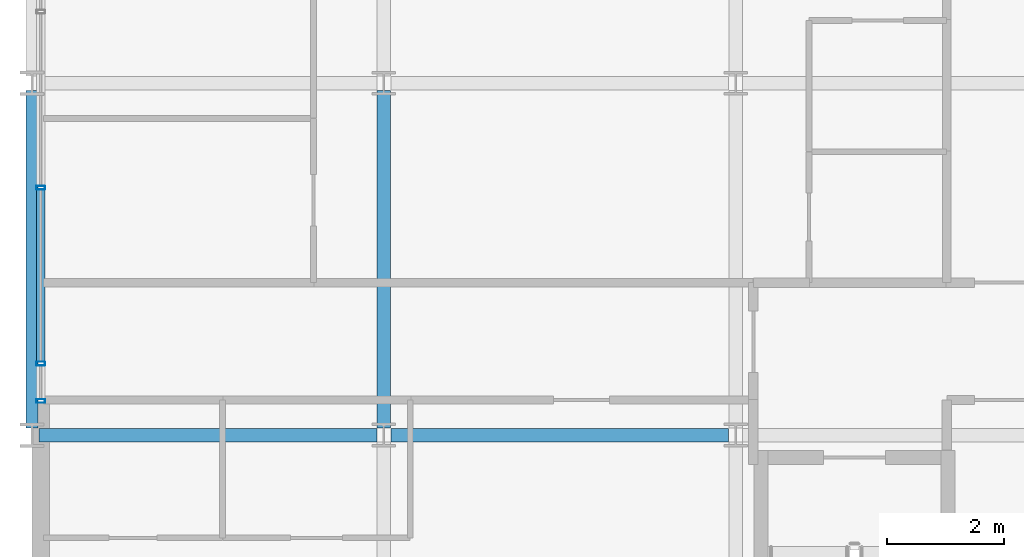
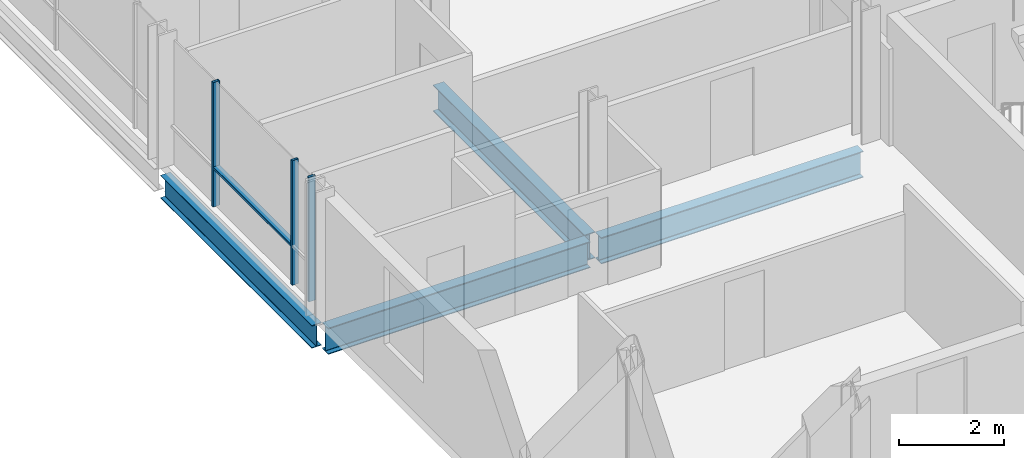
# One storey, part 4 of 41: 4 beams, 4 members, 1 element without a shape of its own.
"""IFC4 building model written with IfcOpenShell, lengths in metres."""

import ifcopenshell
import ifcopenshell.guid

model = None  # the IFC model being written
_history = None  # IfcOwnerHistory: only IFC2X3 demands one
_inside = {}  # id of a spatial element -> (the spatial element, [elements in it])
_under = {}  # id of a project, library or spatial element -> (it, [spatial elements below it])
_declared = {}  # id of a project -> (the project, [libraries it declares])
_typed = {}  # id of a type object -> (the type object, [elements of that type])
_made_of = {}  # id of a material, layer set ... -> (it, [elements and type objects made of it])


def new_model(schema):
    """Start an empty IFC model of exactly this schema.

    Asked for "IFC4X3", IfcOpenShell would pick the latest addendum, in which some entities
    have other attributes; the version numbers below select the first issue.
    IFC2X3 requires an IfcOwnerHistory on every rooted entity: one is made here for all.
    """
    global model, _history
    if schema == "IFC4X3":
        model = ifcopenshell.file(schema_version=(4, 3, 0, 0))
    else:
        model = ifcopenshell.file(schema=schema)
    _inside.clear()
    _under.clear()
    _declared.clear()
    _typed.clear()
    _made_of.clear()
    _history = None
    if model.schema == "IFC2X3":
        org = make("IfcOrganization", Name="unknown")
        user = make(
            "IfcPersonAndOrganization",
            ThePerson=make("IfcPerson", FamilyName="unknown"),
            TheOrganization=org,
        )
        app = make(
            "IfcApplication",
            ApplicationDeveloper=org,
            Version="unknown",
            ApplicationFullName="unknown",
            ApplicationIdentifier="unknown",
        )
        _history = make(
            "IfcOwnerHistory",
            OwningUser=user,
            OwningApplication=app,
            ChangeAction="ADDED",
            CreationDate=0,
        )
    return model


def make(cls, **values):
    """One entity of the class cls with the attributes given. An attribute that is None is left unset."""
    return model.create_entity(
        cls, **{name: value for name, value in values.items() if value is not None}
    )


def rooted(cls, **values):
    """An entity with a GlobalId (a new one), such as an element, a storey or a relation."""
    return make(cls, GlobalId=ifcopenshell.guid.new(), OwnerHistory=_history, **values)


def si_unit(unit_type, name, prefix=None):
    """IfcSIUnit, for example si_unit("LENGTHUNIT", "METRE", prefix="MILLI")."""
    return make("IfcSIUnit", UnitType=unit_type, Prefix=prefix, Name=name)


def assignment(units):
    """IfcUnitAssignment: the units of a project."""
    return None if units is None else make("IfcUnitAssignment", Units=units)


def point(xyz):
    """IfcCartesianPoint."""
    return None if xyz is None else make("IfcCartesianPoint", Coordinates=xyz)


def direction(xyz):
    """IfcDirection."""
    return None if xyz is None else make("IfcDirection", DirectionRatios=xyz)


def frame(location, z_axis=None, x_axis=None):
    """IfcAxis2Placement3D, a coordinate frame: its origin and axes. An axis left out is left unset."""
    return make(
        "IfcAxis2Placement3D",
        Location=point(location),
        Axis=direction(z_axis),
        RefDirection=direction(x_axis),
    )


def frame_2d(location, x_axis=None):
    """IfcAxis2Placement2D, a coordinate frame in the plane: its origin and x axis."""
    return make(
        "IfcAxis2Placement2D", Location=point(location), RefDirection=direction(x_axis)
    )


def origin():
    """The frame at (0, 0, 0) with its axes left unset."""
    return frame((0.0, 0.0, 0.0))


def origin_2d():
    """The frame at (0, 0) in the plane with its x axis left unset."""
    return frame_2d((0.0, 0.0))


def place(relative_to, where):
    """IfcLocalPlacement: puts the frame where relative to a parent placement (None: the world)."""
    return make(
        "IfcLocalPlacement", PlacementRelTo=relative_to, RelativePlacement=where
    )


def context(
    kind, dimensions, precision=None, world=None, true_north=None, identifier=None
):
    """IfcGeometricRepresentationContext, for example the 3D "Model" context."""
    return make(
        "IfcGeometricRepresentationContext",
        ContextIdentifier=identifier,
        ContextType=kind,
        CoordinateSpaceDimension=dimensions,
        Precision=precision,
        WorldCoordinateSystem=world,
        TrueNorth=true_north,
    )


def subcontext(parent, identifier, kind, view, scale=None):
    """IfcGeometricRepresentationSubContext, for example "Body" below "Model"."""
    return make(
        "IfcGeometricRepresentationSubContext",
        ContextIdentifier=identifier,
        ContextType=kind,
        ParentContext=parent,
        TargetScale=scale,
        TargetView=view,
    )


def project(units=None, contexts=None):
    """IfcProject with its units and contexts."""
    return rooted(
        "IfcProject",
        Name="project",
        RepresentationContexts=contexts,
        UnitsInContext=assignment(units),
    )


def spatial(cls, under=None, at=None, **own):
    """A site, building, storey or space (cls), placed at a placement, below another one or the project."""
    s = rooted(cls, ObjectPlacement=at, **own)
    if under is not None:
        _under.setdefault(under.id(), (under, []))[1].append(s)
    return s


def profile(cls, at=None, kind="AREA", **sizes):
    """A parametric profile (cls). Its sizes go by their IFC names, for example OverallWidth=200.0."""
    return make(cls, ProfileType=kind, Position=at, **sizes)


def hollow_rectangle(**sizes):
    """IfcRectangleHollowProfileDef."""
    return profile("IfcRectangleHollowProfileDef", **sizes)


def i_section(**sizes):
    """IfcIShapeProfileDef."""
    return profile("IfcIShapeProfileDef", **sizes)


def extrude(swept, where, along, depth):
    """IfcExtrudedAreaSolid: the profile swept, set in the frame where, extruded along a direction by depth."""
    return make(
        "IfcExtrudedAreaSolid",
        SweptArea=swept,
        Position=where,
        ExtrudedDirection=direction(along),
        Depth=depth,
    )


def shape(context_of_items, identifier, shape_type, items):
    """IfcShapeRepresentation: the items that make up one representation, for example the "Body"."""
    return make(
        "IfcShapeRepresentation",
        ContextOfItems=context_of_items,
        RepresentationIdentifier=identifier,
        RepresentationType=shape_type,
        Items=items,
    )


def material(Name=None, Category=None):
    """IfcMaterial."""
    return make("IfcMaterial", Name=Name, Category=Category)


def layer(
    of_material, thickness, ventilated=None, Name=None, Category=None, Priority=None
):
    """IfcMaterialLayer: one layer of a wall or slab, of a material (None: an air gap)."""
    return make(
        "IfcMaterialLayer",
        Material=of_material,
        LayerThickness=thickness,
        IsVentilated=ventilated,
        Name=Name,
        Category=Category,
        Priority=Priority,
    )


def layer_set(layers, Name=None):
    """IfcMaterialLayerSet."""
    return make("IfcMaterialLayerSet", MaterialLayers=layers, LayerSetName=Name)


def material_profile(
    of_material, cross_section, Name=None, Category=None, Priority=None
):
    """IfcMaterialProfile: a cross section and its material."""
    return make(
        "IfcMaterialProfile",
        Name=Name,
        Material=of_material,
        Profile=cross_section,
        Priority=Priority,
        Category=Category,
    )


def profile_set(profiles, Name=None, composite=None):
    """IfcMaterialProfileSet."""
    return make(
        "IfcMaterialProfileSet",
        Name=Name,
        MaterialProfiles=profiles,
        CompositeProfile=composite,
    )


def made_of(thing, what):
    """Note that an element or type object is made of a material, layer set ...; save() writes the relation."""
    if what is not None:
        _made_of.setdefault(what.id(), (what, []))[1].append(thing)
    return thing


def type_object(cls, material=None, **own):
    """A type object (cls), such as IfcWallType, which elements share."""
    return made_of(rooted(cls, **own), material)


def element(
    cls,
    number,
    at=None,
    inside=None,
    cuts=None,
    type_object=None,
    material=None,
    context=None,
    identifier="Body",
    shape_type=None,
    held_by="IfcProductDefinitionShape",
    body=None,
    shapes=None,
    **own,
):
    """One element of the class cls, such as IfcWall. Its Tag is "e" and its number.

    at: its placement. inside: the storey or other place that contains it. cuts: it is an
    opening in that element (IfcRelVoidsElement). A single representation is given by context,
    identifier, shape_type and body (its items); several are given by shapes. held_by: the class
    of the entity that holds the representations. save() writes the other relations.
    """
    e = rooted(cls, Tag="e%d" % number, ObjectPlacement=at, **own)
    if body is not None:
        shapes = [shape(context, identifier, shape_type, body)]
    if shapes is not None:
        e.Representation = make(held_by, Representations=shapes)
    if inside is not None:
        _inside.setdefault(inside.id(), (inside, []))[1].append(e)
    if cuts is not None:
        rooted(
            "IfcRelVoidsElement", RelatingBuildingElement=cuts, RelatedOpeningElement=e
        )
    if type_object is not None:
        _typed.setdefault(type_object.id(), (type_object, []))[1].append(e)
    return made_of(e, material)


def aggregate(whole, parts):
    """IfcRelAggregates: a whole, such as a stair, and the parts it consists of."""
    return rooted("IfcRelAggregates", RelatingObject=whole, RelatedObjects=parts)


def save(model, path):
    """Write the relations noted so far, then the file.

    IfcRelAggregates (storeys below a building ...), IfcRelContainedInSpatialStructure (elements
    in a storey), IfcRelDefinesByType, IfcRelAssociatesMaterial and IfcRelDeclares: one each for
    every whole, place, type object, material and project.
    """
    for whole, parts in _under.values():
        aggregate(whole, parts)
    for where, things in _inside.values():
        rooted(
            "IfcRelContainedInSpatialStructure",
            RelatedElements=things,
            RelatingStructure=where,
        )
    for kind, things in _typed.values():
        rooted("IfcRelDefinesByType", RelatedObjects=things, RelatingType=kind)
    for what, things in _made_of.values():
        rooted("IfcRelAssociatesMaterial", RelatedObjects=things, RelatingMaterial=what)
    for by, libraries in _declared.values():
        rooted("IfcRelDeclares", RelatingContext=by, RelatedDefinitions=libraries)
    model.write(path)


model = new_model("IFC4")

# Units and contexts
model_context = context("Model", 3, precision=1e-05, world=origin(), true_north=direction((0.0, 1.0)))
body_context = subcontext(model_context, "Body", "Model", "MODEL_VIEW")
ifc_project = project(units=[si_unit("LENGTHUNIT", "METRE"), si_unit("AREAUNIT", "SQUARE_METRE"), si_unit("VOLUMEUNIT", "CUBIC_METRE"), si_unit("PLANEANGLEUNIT", "RADIAN"), si_unit("MASSUNIT", "GRAM", prefix="KILO")], contexts=[model_context])

# Site, building, storey
site_placement = place(None, origin())
site = spatial("IfcSite", under=ifc_project, at=site_placement, CompositionType="ELEMENT")
building_placement = place(site_placement, origin())
building = spatial("IfcBuilding", under=site, at=building_placement, Name="Brevholm Reach", CompositionType="ELEMENT")
storey_placement = place(building_placement, frame((0.0, 0.0, 169.699951171875)))
storey = spatial("IfcBuildingStorey", under=building, at=storey_placement, Name="L51", CompositionType="ELEMENT", Elevation=169.699951171875)

# Beams
ifc_material_1 = material(Name="Structural Steel S355J2", Category="steel")
ifc_material_profile_1 = material_profile(ifc_material_1, i_section(OverallWidth=0.209228515625, OverallDepth=0.533203125, WebThickness=0.010009765625, FlangeThickness=0.015625, FilletRadius=0.0126953125, at=origin_2d()), Name="UKB 533x210x92")
ifc_profile_set_1 = profile_set([ifc_material_profile_1], Name="Structural Steel S355J2")
beam_type_1 = type_object("IfcBeamType", Name="BM-SP533", PredefinedType="SPANDREL", material=ifc_profile_set_1)
beam_placement = place(storey_placement, frame((0.0, 10.1201171875, -0.486572265625), z_axis=(0.0, 1.0, 0.0), x_axis=(-1.0, 0.0, 0.0)))
element("IfcBeam", 1, at=beam_placement, inside=storey, type_object=beam_type_1, Name="L51 SP-02 Framing Beam", PredefinedType="SPANDREL", context=body_context, shape_type="SweptSolid", body=[
    extrude(i_section(OverallWidth=0.209228515625, OverallDepth=0.533203125, WebThickness=0.010009765625, FlangeThickness=0.015625, FilletRadius=0.0126953125, at=origin_2d()), origin(), (0.0, 0.0, 1.0), 5.759765625),
])
ifc_material_2 = material(Name="Structural Steel S355J2", Category="steel")
ifc_material_profile_2 = material_profile(ifc_material_2, i_section(OverallWidth=0.22900390625, OverallDepth=0.6123046875, WebThickness=0.011962890625, FlangeThickness=0.01953125, FilletRadius=0.0126953125, at=origin_2d()), Name="UKB 610x229x125")
ifc_profile_set_2 = profile_set([ifc_material_profile_2], Name="Structural Steel S355J2")
beam_type_2 = type_object("IfcBeamType", Name="BM-SP610", PredefinedType="SPANDREL", material=ifc_profile_set_2)
for number, where, z_axis, x_axis, name in (
    (2, (0.1201171875, 10.0, -0.526123046875), (1.0, 0.0, 0.0), (0.0, 1.0, 0.0), "L51 SP-01 Framing Beam"),
    (3, (6.1201171875, 10.0, -0.526123046875), (1.0, 0.0, 0.0), (0.0, 1.0, 0.0), "L51 SP-01 Framing Beam"),
    (4, (6.0, 10.1201171875, -0.526123046875), (0.0, 1.0, 0.0), (-1.0, 0.0, 0.0), "L51 SP-01 Framing Beam"),
):
    element("IfcBeam", number, at=place(storey_placement, frame(where, z_axis=z_axis, x_axis=x_axis)), inside=storey, type_object=beam_type_2, Name=name, PredefinedType="SPANDREL", context=body_context, shape_type="SweptSolid", body=[
        extrude(i_section(OverallWidth=0.22900390625, OverallDepth=0.6123046875, WebThickness=0.011962890625, FlangeThickness=0.01953125, FilletRadius=0.0126953125, at=origin_2d()), origin(), (0.0, 0.0, 1.0), 5.759765625),
    ])

# Curtain wall, members
ifc_material_3 = material(Name="Dark Anodised Aluminium 6063-T6 and Solar-Control Glass", Category="aluminium")
ifc_layer = layer(ifc_material_3, 0.14990234375)
ifc_layer_set = layer_set([ifc_layer], Name="Dark Anodised Aluminium 6063-T6 and Solar-Control Glass")
curtain_wall_type = type_object("IfcCurtainWallType", Name="CW-01", PredefinedType="NOTDEFINED", material=ifc_layer_set)
curtain_wall_placement = place(storey_placement, origin())
curtain_wall = element("IfcCurtainWall", 5, at=curtain_wall_placement, inside=storey, type_object=curtain_wall_type, Name="L51 Curtain Wall CW-01", PredefinedType="NOTDEFINED")
ifc_material_4 = material(Name="Dark Anodised Aluminium 6063-T6", Category="aluminium")
ifc_material_profile_3 = material_profile(ifc_material_4, hollow_rectangle(XDim=0.06494140625, YDim=0.14990234375, WallThickness=0.0048828125, InnerFilletRadius=0.0048828125, OuterFilletRadius=0.010009765625, at=origin_2d()), Name="RHS 150x65x5")
ifc_profile_set_3 = profile_set([ifc_material_profile_3], Name="Dark Anodised Aluminium 6063-T6")
member_type_1 = type_object("IfcMemberType", Name="CWM-150", PredefinedType="MULLION", material=ifc_profile_set_3)
member_1_placement = place(storey_placement, frame((0.14990234375, 14.219970703125, 0.0), z_axis=(0.0, 0.0, 1.0), x_axis=(0.0, -1.0, 0.0)))
member_1 = element("IfcMember", 6, at=member_1_placement, type_object=member_type_1, Name="CM-150 Mullion 4", PredefinedType="MULLION", context=body_context, shape_type="SweptSolid", body=[
    extrude(hollow_rectangle(XDim=0.06494140625, YDim=0.14990234375, WallThickness=0.0048828125, InnerFilletRadius=0.0048828125, OuterFilletRadius=0.010009765625, at=origin_2d()), origin(), (0.0, 0.0, 1.0), 2.89013671875),
])
member_2_placement = place(storey_placement, frame((0.14990234375, 11.219970703125, 0.0), z_axis=(0.0, 0.0, 1.0), x_axis=(0.0, -1.0, 0.0)))
member_2 = element("IfcMember", 7, at=member_2_placement, type_object=member_type_1, Name="CM-150 Mullion 5", PredefinedType="MULLION", context=body_context, shape_type="SweptSolid", body=[
    extrude(hollow_rectangle(XDim=0.06494140625, YDim=0.14990234375, WallThickness=0.0048828125, InnerFilletRadius=0.0048828125, OuterFilletRadius=0.010009765625, at=origin_2d()), origin(), (0.0, 0.0, 1.0), 2.89013671875),
])
member_3_placement = place(storey_placement, frame((0.14990234375, 10.58251953125, 0.0), z_axis=(0.0, 0.0, 1.0), x_axis=(0.0, -1.0, 0.0)))
member_3 = element("IfcMember", 8, at=member_3_placement, type_object=member_type_1, Name="CM-150 Mullion 6", PredefinedType="MULLION", context=body_context, shape_type="SweptSolid", body=[
    extrude(hollow_rectangle(XDim=0.06494140625, YDim=0.14990234375, WallThickness=0.0048828125, InnerFilletRadius=0.0048828125, OuterFilletRadius=0.010009765625, at=origin_2d()), origin(), (0.0, 0.0, 1.0), 2.89013671875),
])
ifc_material_5 = material(Name="Dark Anodised Aluminium 6063-T6", Category="aluminium")
ifc_material_profile_4 = material_profile(ifc_material_5, hollow_rectangle(XDim=0.06494140625, YDim=0.14990234375, WallThickness=0.0048828125, InnerFilletRadius=0.0048828125, OuterFilletRadius=0.010009765625, at=origin_2d()), Name="RHS 150x65x5")
ifc_profile_set_4 = profile_set([ifc_material_profile_4], Name="Dark Anodised Aluminium 6063-T6")
member_type_2 = type_object("IfcMemberType", Name="CWT-150", PredefinedType="NOTDEFINED", material=ifc_profile_set_4)
member_4_placement = place(storey_placement, frame((0.14990234375, 14.1875, 0.900146484375), z_axis=(0.0, -1.0, 0.0), x_axis=(0.0, 0.0, 1.0)))
member_4 = element("IfcMember", 9, at=member_4_placement, type_object=member_type_2, Name="CT-150 Transom 4.1", ObjectType="TRANSOM", PredefinedType="USERDEFINED", context=body_context, shape_type="SweptSolid", body=[
    extrude(hollow_rectangle(XDim=0.06494140625, YDim=0.14990234375, WallThickness=0.0048828125, InnerFilletRadius=0.0048828125, OuterFilletRadius=0.010009765625, at=origin_2d()), origin(), (0.0, 0.0, 1.0), 2.93505859375),
])
aggregate(curtain_wall, [member_1, member_2, member_3, member_4])

save(model, "model.ifc")
